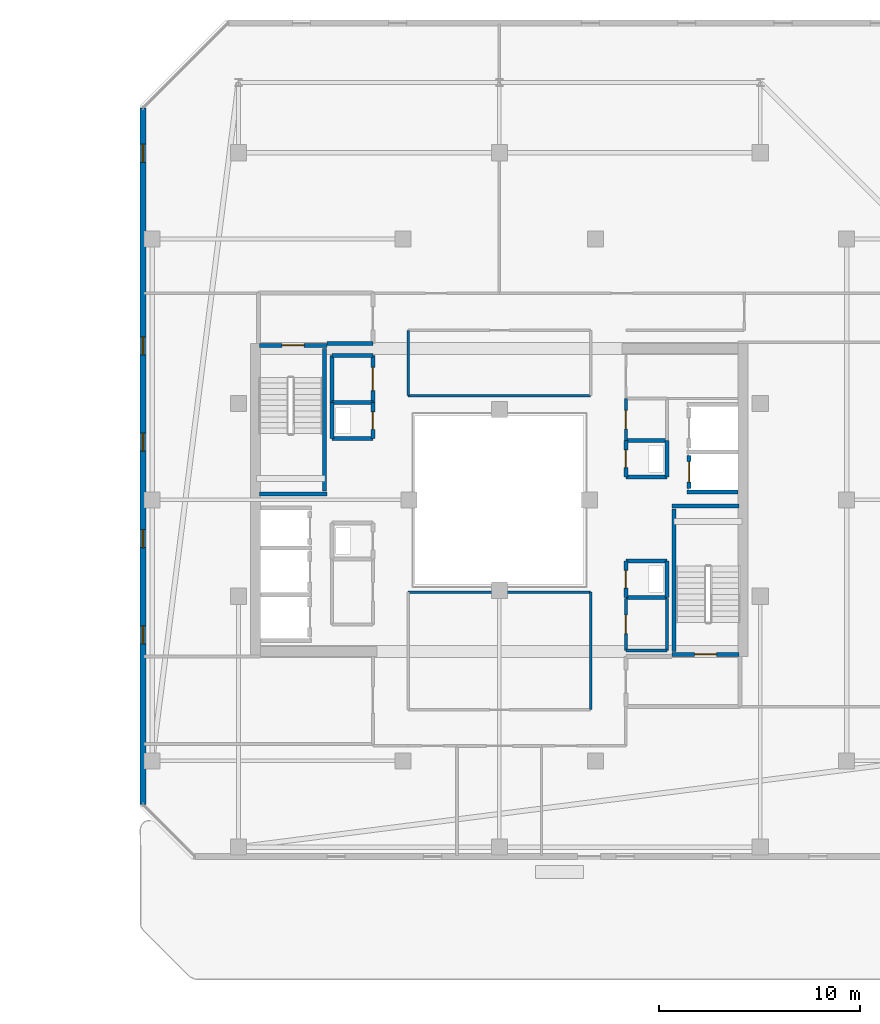
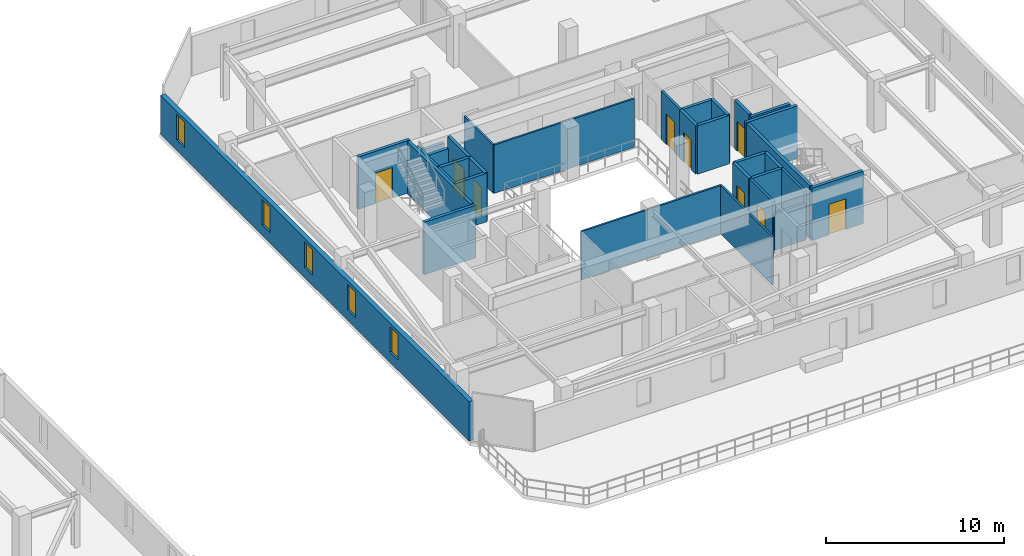
# One storey, part 23 of 31: 33 walls, 9 doors, 5 windows, 14 openings.
"""IFC4 building model written with IfcOpenShell, lengths in metres."""

from ifc_helpers import new_model, si_unit, direction, frame, frame_2d, origin, place, context, subcontext, project, spatial, rectangle, extrude, material, layer, layer_set, type_object, element, fill, save


model = new_model("IFC4")

# Units and contexts
model_context = context("Model", 3, precision=1e-05, world=origin(), true_north=direction((0.0, 1.0)))
body_context = subcontext(model_context, "Body", "Model", "MODEL_VIEW")
ifc_project = project(units=[si_unit("LENGTHUNIT", "METRE"), si_unit("AREAUNIT", "SQUARE_METRE"), si_unit("VOLUMEUNIT", "CUBIC_METRE"), si_unit("PLANEANGLEUNIT", "RADIAN"), si_unit("MASSUNIT", "GRAM", prefix="KILO")], contexts=[model_context])

# Site, building, storey
site_placement = place(None, origin())
site = spatial("IfcSite", under=ifc_project, at=site_placement, CompositionType="ELEMENT")
building_placement = place(site_placement, origin())
building = spatial("IfcBuilding", under=site, at=building_placement, Name="Thornwick Lancets Civic Towers", CompositionType="ELEMENT")
storey_placement = place(building_placement, frame((0.0, 0.0, 254.699951171875)))
storey = spatial("IfcBuildingStorey", under=building, at=storey_placement, Name="L68", CompositionType="ELEMENT", Elevation=254.699951171875)

# Wall, opening, door
ifc_material_1 = material(Name="Concrete blockwork C40/50", Category="masonry")
ifc_layer_1 = layer(ifc_material_1, 0.199951171875, Name="Concrete blockwork C40/50")
ifc_layer_set_1 = layer_set([ifc_layer_1], Name="Concrete blockwork C40/50")
wall_type_1 = type_object("IfcWallType", Name="WALL_COMP_200", PredefinedType="STANDARD", material=ifc_layer_set_1)
wall_1_placement = place(storey_placement, frame((97.949951171875, 29.219970703125, 0.0), z_axis=(0.0, 0.0, 1.0), x_axis=(0.0, -1.0, 0.0)))
wall_1 = element("IfcWall", 1, at=wall_1_placement, inside=storey, type_object=wall_type_1, Name="L68 Hoistway Front Wall FL-B1", PredefinedType="STANDARD", context=body_context, shape_type="SweptSolid", body=[
    extrude(rectangle(XDim=1.639892578125, YDim=0.199951171875, at=frame_2d((0.81982421875, 0.0))), origin(), (0.0, 0.0, 1.0), 3.320068359375),
])
opening_1_placement = place(wall_1_placement, frame((0.31005859375, 0.0, 0.0)))
opening_1 = element("IfcOpeningElement", 2, at=opening_1_placement, cuts=wall_1, Name="Opening LD-FL-B1", PredefinedType="OPENING", context=body_context, shape_type="SweptSolid", body=[
    extrude(rectangle(XDim=1.02001953125, YDim=2.06005859375, at=frame_2d((0.510009765625, 1.030029296875))), frame((0.0, 0.10986328125, 0.0), z_axis=(0.0, -1.0, 0.0), x_axis=(1.0, 0.0, 0.0)), (0.0, 0.0, 1.0), 0.219970703125),
])
ifc_material_2 = material(Name="Brushed bronze stainless steel", Category="steel")
door_type_1 = type_object("IfcDoorType", Name="DOOR_LIFT_SLIDE", OperationType="SLIDING_TO_LEFT", PredefinedType="DOOR", material=ifc_material_2)
door_1_placement = place(opening_1_placement, origin())
door_1 = element("IfcDoor", 3, at=door_1_placement, inside=storey, type_object=door_type_1, Name="L68 Sliding Lift Landing Door LD-FL-B1", OperationType="SLIDING_TO_LEFT", OverallHeight=2.06005859375, OverallWidth=1.02001953125, PredefinedType="DOOR", context=body_context, shape_type="SweptSolid", body=[
    extrude(rectangle(XDim=1.02001953125, YDim=2.06005859375, at=frame_2d((0.510009765625, 1.030029296875))), frame((0.0, 0.02490234375, 0.0), z_axis=(0.0, -1.0, 0.0), x_axis=(1.0, 0.0, 0.0)), (0.0, 0.0, 1.0), 0.050048828125),
])
fill(opening_1, door_1)

# Walls
wall_2_placement = place(storey_placement, frame((97.85205078125, 27.39990234375, 0.0), z_axis=(0.0, 0.0, 1.0), x_axis=(1.0, 0.0, 0.0)))
element("IfcWall", 4, at=wall_2_placement, inside=storey, type_object=wall_type_1, Name="L68 Hoistway Shaft Wall FL-B1 S", PredefinedType="STANDARD", context=body_context, shape_type="SweptSolid", body=[
    extrude(rectangle(XDim=2.535888671875, YDim=0.199951171875, at=frame_2d((1.26806640625, 0.0))), origin(), (0.0, 0.0, 1.0), 3.320068359375),
])
wall_3_placement = place(storey_placement, frame((79.89990234375, 34.800048828125, 0.0), z_axis=(0.0, 0.0, 1.0), x_axis=(1.0, 0.0, 0.0)))
element("IfcWall", 5, at=wall_3_placement, inside=storey, type_object=wall_type_1, Name="L68 Partition L68-B-FFLOB2 E1", PredefinedType="STANDARD", context=body_context, shape_type="SweptSolid", body=[
    extrude(rectangle(XDim=2.300048828125, YDim=0.199951171875, at=frame_2d((1.14990234375, 0.0))), origin(), (0.0, 0.0, 1.0), 2.525146484375),
])
wall_4_placement = place(storey_placement, frame((94.800048828125, 28.14990234375, 0.0), z_axis=(0.0, 0.0, 1.0), x_axis=(1.0, 0.0, 0.0)))
element("IfcWall", 6, at=wall_4_placement, inside=storey, type_object=wall_type_1, Name="L68 Partition L68-B-DUCT1 E1", PredefinedType="STANDARD", context=body_context, shape_type="SweptSolid", body=[
    extrude(rectangle(XDim=2.050048828125, YDim=0.199951171875, at=frame_2d((1.02490234375, 0.0))), origin(), (0.0, 0.0, 1.0), 3.320068359375),
])
wall_5_placement = place(storey_placement, frame((96.85009765625, 28.14990234375, 0.0), z_axis=(0.0, 0.0, 1.0), x_axis=(0.0, 1.0, 0.0)))
element("IfcWall", 7, at=wall_5_placement, inside=storey, type_object=wall_type_1, Name="L68 Partition L68-B-DUCT1 E2", PredefinedType="STANDARD", context=body_context, shape_type="SweptSolid", body=[
    extrude(rectangle(XDim=1.800048828125, YDim=0.199951171875, at=frame_2d((0.89990234375, 0.0))), origin(), (0.0, 0.0, 1.0), 3.320068359375),
])
wall_6_placement = place(storey_placement, frame((96.85009765625, 29.949951171875, 0.0), z_axis=(0.0, 0.0, 1.0), x_axis=(-1.0, 0.0, 0.0)))
element("IfcWall", 8, at=wall_6_placement, inside=storey, type_object=wall_type_1, Name="L68 Partition L68-B-DUCT1 E3", PredefinedType="STANDARD", context=body_context, shape_type="SweptSolid", body=[
    extrude(rectangle(XDim=2.050048828125, YDim=0.199951171875, at=frame_2d((1.02490234375, 0.0))), origin(), (0.0, 0.0, 1.0), 3.320068359375),
])

# Wall, opening, door
wall_7_placement = place(storey_placement, frame((94.800048828125, 29.949951171875, 0.0), z_axis=(0.0, 0.0, 1.0), x_axis=(0.0, -1.0, 0.0)))
wall_7 = element("IfcWall", 9, at=wall_7_placement, inside=storey, type_object=wall_type_1, Name="L68 Partition L68-B-DUCT1 E4", PredefinedType="STANDARD", context=body_context, shape_type="SweptSolid", body=[
    extrude(rectangle(XDim=1.800048828125, YDim=0.199951171875, at=frame_2d((0.89990234375, 0.0))), origin(), (0.0, 0.0, 1.0), 3.320068359375),
])
opening_2_placement = place(wall_7_placement, frame((0.4599609375, 0.0, 0.0)))
opening_2 = element("IfcOpeningElement", 10, at=opening_2_placement, cuts=wall_7, Name="Opening D-L68-3104", PredefinedType="OPENING", context=body_context, shape_type="SweptSolid", body=[
    extrude(rectangle(XDim=0.8798828125, YDim=2.0400390625, at=frame_2d((0.43994140625, 1.02001953125))), frame((0.0, 0.10986328125, 0.0), z_axis=(0.0, -1.0, 0.0), x_axis=(1.0, 0.0, 0.0)), (0.0, 0.0, 1.0), 0.219970703125),
])
ifc_material_3 = material(Name="Steel riser access doorset", Category="steel")
door_type_2 = type_object("IfcDoorType", Name="DOOR_RISER_850", OperationType="NOTDEFINED", PredefinedType="DOOR", material=ifc_material_3)
door_2_placement = place(opening_2_placement, origin())
door_2 = element("IfcDoor", 11, at=door_2_placement, inside=storey, type_object=door_type_2, Name="L68 East Service Duct 1 Door", OperationType="SINGLE_SWING_LEFT", OverallHeight=2.0400390625, OverallWidth=0.8798828125, PredefinedType="DOOR", context=body_context, shape_type="SweptSolid", body=[
    extrude(rectangle(XDim=0.8798828125, YDim=2.0400390625, at=frame_2d((0.43994140625, 1.02001953125))), frame((0.0, 0.02490234375, 0.0), z_axis=(0.0, -1.0, 0.0), x_axis=(1.0, 0.0, 0.0)), (0.0, 0.0, 1.0), 0.050048828125),
])
fill(opening_2, door_2)

# Walls
wall_8_placement = place(storey_placement, frame((94.800048828125, 22.14990234375, 0.0), z_axis=(0.0, 0.0, 1.0), x_axis=(1.0, 0.0, 0.0)))
element("IfcWall", 12, at=wall_8_placement, inside=storey, type_object=wall_type_1, Name="L68 Partition L68-B-RISER1 E1", PredefinedType="STANDARD", context=body_context, shape_type="SweptSolid", body=[
    extrude(rectangle(XDim=2.050048828125, YDim=0.199951171875, at=frame_2d((1.02490234375, 0.0))), origin(), (0.0, 0.0, 1.0), 3.320068359375),
])
wall_9_placement = place(storey_placement, frame((96.85009765625, 22.14990234375, 0.0), z_axis=(0.0, 0.0, 1.0), x_axis=(0.0, 1.0, 0.0)))
element("IfcWall", 13, at=wall_9_placement, inside=storey, type_object=wall_type_1, Name="L68 Partition L68-B-RISER1 E2", PredefinedType="STANDARD", context=body_context, shape_type="SweptSolid", body=[
    extrude(rectangle(XDim=1.800048828125, YDim=0.199951171875, at=frame_2d((0.89990234375, 0.0))), origin(), (0.0, 0.0, 1.0), 3.320068359375),
])
wall_10_placement = place(storey_placement, frame((96.85009765625, 23.949951171875, 0.0), z_axis=(0.0, 0.0, 1.0), x_axis=(-1.0, 0.0, 0.0)))
element("IfcWall", 14, at=wall_10_placement, inside=storey, type_object=wall_type_1, Name="L68 Partition L68-B-RISER1 E3", PredefinedType="STANDARD", context=body_context, shape_type="SweptSolid", body=[
    extrude(rectangle(XDim=2.050048828125, YDim=0.199951171875, at=frame_2d((1.02490234375, 0.0))), origin(), (0.0, 0.0, 1.0), 3.320068359375),
])

# Wall, opening, door
wall_11_placement = place(storey_placement, frame((94.800048828125, 23.949951171875, 0.0), z_axis=(0.0, 0.0, 1.0), x_axis=(0.0, -1.0, 0.0)))
wall_11 = element("IfcWall", 15, at=wall_11_placement, inside=storey, type_object=wall_type_1, Name="L68 Partition L68-B-RISER1 E4", PredefinedType="STANDARD", context=body_context, shape_type="SweptSolid", body=[
    extrude(rectangle(XDim=1.800048828125, YDim=0.199951171875, at=frame_2d((0.89990234375, 0.0))), origin(), (0.0, 0.0, 1.0), 3.320068359375),
])
opening_3_placement = place(wall_11_placement, frame((0.4599609375, 0.0, 0.0)))
opening_3 = element("IfcOpeningElement", 16, at=opening_3_placement, cuts=wall_11, Name="Opening D-L68-3105", PredefinedType="OPENING", context=body_context, shape_type="SweptSolid", body=[
    extrude(rectangle(XDim=0.8798828125, YDim=2.0400390625, at=frame_2d((0.43994140625, 1.02001953125))), frame((0.0, 0.10986328125, 0.0), z_axis=(0.0, -1.0, 0.0), x_axis=(1.0, 0.0, 0.0)), (0.0, 0.0, 1.0), 0.219970703125),
])
door_3_placement = place(opening_3_placement, origin())
door_3 = element("IfcDoor", 17, at=door_3_placement, inside=storey, type_object=door_type_2, Name="L68 East Electrical Riser 1 Door", OperationType="SINGLE_SWING_RIGHT", OverallHeight=2.0400390625, OverallWidth=0.8798828125, PredefinedType="DOOR", context=body_context, shape_type="SweptSolid", body=[
    extrude(rectangle(XDim=0.8798828125, YDim=2.0400390625, at=frame_2d((0.43994140625, 1.02001953125))), frame((0.0, 0.02490234375, 0.0), z_axis=(0.0, -1.0, 0.0), x_axis=(1.0, 0.0, 0.0)), (0.0, 0.0, 1.0), 0.050048828125),
])
fill(opening_3, door_3)

# Wall
wall_12_placement = place(storey_placement, frame((80.14990234375, 30.050048828125, 0.0), z_axis=(0.0, 0.0, 1.0), x_axis=(1.0, 0.0, 0.0)))
element("IfcWall", 18, at=wall_12_placement, inside=storey, type_object=wall_type_1, Name="L68 Partition L68-B-RISER2 E1", PredefinedType="STANDARD", context=body_context, shape_type="SweptSolid", body=[
    extrude(rectangle(XDim=2.050048828125, YDim=0.199951171875, at=frame_2d((1.02490234375, 0.0))), origin(), (0.0, 0.0, 1.0), 3.320068359375),
])

# Wall, opening, door
wall_13_placement = place(storey_placement, frame((82.199951171875, 30.050048828125, 0.0), z_axis=(0.0, 0.0, 1.0), x_axis=(0.0, 1.0, 0.0)))
wall_13 = element("IfcWall", 19, at=wall_13_placement, inside=storey, type_object=wall_type_1, Name="L68 Partition L68-B-RISER2 E2", PredefinedType="STANDARD", context=body_context, shape_type="SweptSolid", body=[
    extrude(rectangle(XDim=1.800048828125, YDim=0.199951171875, at=frame_2d((0.89990234375, 0.0))), origin(), (0.0, 0.0, 1.0), 3.320068359375),
])
opening_4_placement = place(wall_13_placement, frame((0.4599609375, 0.0, 0.0)))
opening_4 = element("IfcOpeningElement", 20, at=opening_4_placement, cuts=wall_13, Name="Opening D-L68-3107", PredefinedType="OPENING", context=body_context, shape_type="SweptSolid", body=[
    extrude(rectangle(XDim=0.8798828125, YDim=2.0400390625, at=frame_2d((0.43994140625, 1.02001953125))), frame((0.0, 0.10986328125, 0.0), z_axis=(0.0, -1.0, 0.0), x_axis=(1.0, 0.0, 0.0)), (0.0, 0.0, 1.0), 0.219970703125),
])
door_4_placement = place(opening_4_placement, origin())
door_4 = element("IfcDoor", 21, at=door_4_placement, inside=storey, type_object=door_type_2, Name="L68 West Service Riser 2 Door", OperationType="SINGLE_SWING_RIGHT", OverallHeight=2.0400390625, OverallWidth=0.8798828125, PredefinedType="DOOR", context=body_context, shape_type="SweptSolid", body=[
    extrude(rectangle(XDim=0.8798828125, YDim=2.0400390625, at=frame_2d((0.43994140625, 1.02001953125))), frame((0.0, 0.02490234375, 0.0), z_axis=(0.0, -1.0, 0.0), x_axis=(1.0, 0.0, 0.0)), (0.0, 0.0, 1.0), 0.050048828125),
])
fill(opening_4, door_4)

# Walls
wall_14_placement = place(storey_placement, frame((82.199951171875, 31.85009765625, 0.0), z_axis=(0.0, 0.0, 1.0), x_axis=(-1.0, 0.0, 0.0)))
element("IfcWall", 22, at=wall_14_placement, inside=storey, type_object=wall_type_1, Name="L68 Partition L68-B-RISER2 E3", PredefinedType="STANDARD", context=body_context, shape_type="SweptSolid", body=[
    extrude(rectangle(XDim=2.050048828125, YDim=0.199951171875, at=frame_2d((1.02490234375, 0.0))), origin(), (0.0, 0.0, 1.0), 3.320068359375),
])
wall_15_placement = place(storey_placement, frame((80.14990234375, 31.85009765625, 0.0), z_axis=(0.0, 0.0, 1.0), x_axis=(0.0, -1.0, 0.0)))
element("IfcWall", 23, at=wall_15_placement, inside=storey, type_object=wall_type_1, Name="L68 Partition L68-B-RISER2 E4", PredefinedType="STANDARD", context=body_context, shape_type="SweptSolid", body=[
    extrude(rectangle(XDim=1.800048828125, YDim=0.199951171875, at=frame_2d((0.89990234375, 0.0))), origin(), (0.0, 0.0, 1.0), 3.320068359375),
])
wall_16_placement = place(storey_placement, frame((80.14990234375, 31.85009765625, 0.0), z_axis=(0.0, 0.0, 1.0), x_axis=(0.0, 1.0, 0.0)))
element("IfcWall", 24, at=wall_16_placement, inside=storey, type_object=wall_type_1, Name="L68 Partition L68-B-STR E1", PredefinedType="STANDARD", context=body_context, shape_type="SweptSolid", body=[
    extrude(rectangle(XDim=2.349853515625, YDim=0.199951171875, at=frame_2d((1.1748046875, 0.0))), origin(), (0.0, 0.0, 1.0), 3.320068359375),
])
wall_17_placement = place(storey_placement, frame((80.14990234375, 34.199951171875, 0.0), z_axis=(0.0, 0.0, 1.0), x_axis=(1.0, 0.0, 0.0)))
element("IfcWall", 25, at=wall_17_placement, inside=storey, type_object=wall_type_1, Name="L68 Partition L68-B-STR E2", PredefinedType="STANDARD", context=body_context, shape_type="SweptSolid", body=[
    extrude(rectangle(XDim=2.050048828125, YDim=0.199951171875, at=frame_2d((1.02490234375, 0.0))), origin(), (0.0, 0.0, 1.0), 2.525146484375),
])

# Wall, opening, door
wall_18_placement = place(storey_placement, frame((82.199951171875, 34.199951171875, 0.0), z_axis=(0.0, 0.0, 1.0), x_axis=(0.0, -1.0, 0.0)))
wall_18 = element("IfcWall", 26, at=wall_18_placement, inside=storey, type_object=wall_type_1, Name="L68 Partition L68-B-STR E3", PredefinedType="STANDARD", context=body_context, shape_type="SweptSolid", body=[
    extrude(rectangle(XDim=2.349853515625, YDim=0.199951171875, at=frame_2d((1.1748046875, 0.0))), origin(), (0.0, 0.0, 1.0), 3.320068359375),
])
opening_5_placement = place(wall_18_placement, frame((0.60009765625, 0.0, 0.0)))
opening_5 = element("IfcOpeningElement", 27, at=opening_5_placement, cuts=wall_18, Name="Opening D-L68-3112", PredefinedType="OPENING", context=body_context, shape_type="SweptSolid", body=[
    extrude(rectangle(XDim=1.14990234375, YDim=2.10009765625, at=frame_2d((0.574951171875, 1.050048828125))), frame((0.0, 0.10986328125, 0.0), z_axis=(0.0, -1.0, 0.0), x_axis=(1.0, 0.0, 0.0)), (0.0, 0.0, 1.0), 0.219970703125),
])
ifc_material_4 = material(Name="Glazed fire-resisting steel", Category="steel")
door_type_3 = type_object("IfcDoorType", Name="DOOR_LOBBY_FD60", OperationType="NOTDEFINED", PredefinedType="DOOR", material=ifc_material_4)
door_5_placement = place(opening_5_placement, origin())
door_5 = element("IfcDoor", 28, at=door_5_placement, inside=storey, type_object=door_type_3, Name="L68 Tower B Core Equipment Store Door", OperationType="SINGLE_SWING_LEFT", OverallHeight=2.10009765625, OverallWidth=1.14990234375, PredefinedType="DOOR", context=body_context, shape_type="SweptSolid", body=[
    extrude(rectangle(XDim=1.14990234375, YDim=2.10009765625, at=frame_2d((0.574951171875, 1.050048828125))), frame((0.0, 0.02490234375, 0.0), z_axis=(0.0, -1.0, 0.0), x_axis=(1.0, 0.0, 0.0)), (0.0, 0.0, 1.0), 0.050048828125),
])
fill(opening_5, door_5)

# Wall, openings, windows
ifc_material_5 = material(Name="Insulated russet terracotta rainscreen on concrete C40/50", Category="masonry")
ifc_layer_2 = layer(ifc_material_5, 0.300048828125, Name="Insulated russet terracotta rainscreen on concrete C40/50")
ifc_layer_set_2 = layer_set([ifc_layer_2], Name="Insulated russet terracotta rainscreen on concrete C40/50")
wall_type_2 = type_object("IfcWallType", Name="WALL_EXT_RUSSET_300", PredefinedType="STANDARD", material=ifc_layer_set_2)
wall_19_placement = place(storey_placement, frame((70.74072265625, 46.52587890625, 0.0), z_axis=(0.0, 0.0, 1.0), x_axis=(-0.000154754115, -0.999999988026, 0.0)))
wall_19 = element("IfcWall", 29, at=wall_19_placement, inside=storey, type_object=wall_type_2, Name="L68 Tower B Terracotta Facade Wall E6", PredefinedType="STANDARD", context=body_context, shape_type="SweptSolid", body=[
    extrude(rectangle(XDim=34.707275390625, YDim=0.300048828125, at=frame_2d((17.353515625, 0.0))), origin(), (0.0, 0.0, 1.0), 2.699951171875),
])
opening_6_placement = place(wall_19_placement, frame((1.800048828125, 0.0, 0.719970703125)))
opening_6 = element("IfcOpeningElement", 30, at=opening_6_placement, cuts=wall_19, Name="Opening WL-01", PredefinedType="OPENING", context=body_context, shape_type="SweptSolid", body=[
    extrude(rectangle(XDim=0.89990234375, YDim=1.75, at=frame_2d((0.449951171875, 0.875))), frame((0.0, 0.16015625, 0.0), z_axis=(0.0, -1.0, 0.0), x_axis=(1.0, 0.0, 0.0)), (0.0, 0.0, 1.0), 0.320068359375),
])
opening_7_placement = place(wall_19_placement, frame((11.39990234375, 0.0, 0.719970703125)))
opening_7 = element("IfcOpeningElement", 31, at=opening_7_placement, cuts=wall_19, Name="Opening WL-01", PredefinedType="OPENING", context=body_context, shape_type="SweptSolid", body=[
    extrude(rectangle(XDim=0.89990234375, YDim=1.75, at=frame_2d((0.449951171875, 0.875))), frame((0.0, 0.16015625, 0.0), z_axis=(0.0, -1.0, 0.0), x_axis=(1.0, 0.0, 0.0)), (0.0, 0.0, 1.0), 0.320068359375),
])
opening_8_placement = place(wall_19_placement, frame((16.199951171875, 0.0, 0.719970703125)))
opening_8 = element("IfcOpeningElement", 32, at=opening_8_placement, cuts=wall_19, Name="Opening WL-01", PredefinedType="OPENING", context=body_context, shape_type="SweptSolid", body=[
    extrude(rectangle(XDim=0.89990234375, YDim=1.75, at=frame_2d((0.449951171875, 0.875))), frame((0.0, 0.16015625, 0.0), z_axis=(0.0, -1.0, 0.0), x_axis=(1.0, 0.0, 0.0)), (0.0, 0.0, 1.0), 0.320068359375),
])
opening_9_placement = place(wall_19_placement, frame((21.0, 0.0, 0.719970703125)))
opening_9 = element("IfcOpeningElement", 33, at=opening_9_placement, cuts=wall_19, Name="Opening WL-01", PredefinedType="OPENING", context=body_context, shape_type="SweptSolid", body=[
    extrude(rectangle(XDim=0.89990234375, YDim=1.75, at=frame_2d((0.449951171875, 0.875))), frame((0.0, 0.16015625, 0.0), z_axis=(0.0, -1.0, 0.0), x_axis=(1.0, 0.0, 0.0)), (0.0, 0.0, 1.0), 0.320068359375),
])
opening_10_placement = place(wall_19_placement, frame((25.800048828125, 0.0, 0.719970703125)))
opening_10 = element("IfcOpeningElement", 34, at=opening_10_placement, cuts=wall_19, Name="Opening WL-01", PredefinedType="OPENING", context=body_context, shape_type="SweptSolid", body=[
    extrude(rectangle(XDim=0.89990234375, YDim=1.75, at=frame_2d((0.449951171875, 0.875))), frame((0.0, 0.16015625, 0.0), z_axis=(0.0, -1.0, 0.0), x_axis=(1.0, 0.0, 0.0)), (0.0, 0.0, 1.0), 0.320068359375),
])
ifc_material_6 = material(Name="Clear low-e double glazing in bronze frame", Category="glass")
window_type = type_object("IfcWindowType", Name="WIN_LANCET_900", PartitioningType="SINGLE_PANEL", PredefinedType="WINDOW", material=ifc_material_6)
window_1_placement = place(opening_6_placement, origin())
window_1 = element("IfcWindow", 35, at=window_1_placement, inside=storey, type_object=window_type, Name="L68 Tower B Staggered Lancet Window E6-1", OverallHeight=1.75, OverallWidth=0.89990234375, PartitioningType="SINGLE_PANEL", PredefinedType="WINDOW", context=body_context, shape_type="SweptSolid", body=[
    extrude(rectangle(XDim=0.89990234375, YDim=1.75, at=frame_2d((0.449951171875, 0.875))), frame((0.0, 0.030029296875, 0.0), z_axis=(0.0, -1.0, 0.0), x_axis=(1.0, 0.0, 0.0)), (0.0, 0.0, 1.0), 0.06005859375),
])
fill(opening_6, window_1)
window_2_placement = place(opening_7_placement, origin())
window_2 = element("IfcWindow", 36, at=window_2_placement, inside=storey, type_object=window_type, Name="L68 Tower B Staggered Lancet Window E6-2", OverallHeight=1.75, OverallWidth=0.89990234375, PartitioningType="SINGLE_PANEL", PredefinedType="WINDOW", context=body_context, shape_type="SweptSolid", body=[
    extrude(rectangle(XDim=0.89990234375, YDim=1.75, at=frame_2d((0.449951171875, 0.875))), frame((0.0, 0.030029296875, 0.0), z_axis=(0.0, -1.0, 0.0), x_axis=(1.0, 0.0, 0.0)), (0.0, 0.0, 1.0), 0.06005859375),
])
fill(opening_7, window_2)
window_3_placement = place(opening_8_placement, origin())
window_3 = element("IfcWindow", 37, at=window_3_placement, inside=storey, type_object=window_type, Name="L68 Tower B Staggered Lancet Window E6-3", OverallHeight=1.75, OverallWidth=0.89990234375, PartitioningType="SINGLE_PANEL", PredefinedType="WINDOW", context=body_context, shape_type="SweptSolid", body=[
    extrude(rectangle(XDim=0.89990234375, YDim=1.75, at=frame_2d((0.449951171875, 0.875))), frame((0.0, 0.030029296875, 0.0), z_axis=(0.0, -1.0, 0.0), x_axis=(1.0, 0.0, 0.0)), (0.0, 0.0, 1.0), 0.06005859375),
])
fill(opening_8, window_3)
window_4_placement = place(opening_9_placement, origin())
window_4 = element("IfcWindow", 38, at=window_4_placement, inside=storey, type_object=window_type, Name="L68 Tower B Staggered Lancet Window E6-4", OverallHeight=1.75, OverallWidth=0.89990234375, PartitioningType="SINGLE_PANEL", PredefinedType="WINDOW", context=body_context, shape_type="SweptSolid", body=[
    extrude(rectangle(XDim=0.89990234375, YDim=1.75, at=frame_2d((0.449951171875, 0.875))), frame((0.0, 0.030029296875, 0.0), z_axis=(0.0, -1.0, 0.0), x_axis=(1.0, 0.0, 0.0)), (0.0, 0.0, 1.0), 0.06005859375),
])
fill(opening_9, window_4)
window_5_placement = place(opening_10_placement, origin())
window_5 = element("IfcWindow", 39, at=window_5_placement, inside=storey, type_object=window_type, Name="L68 Tower B Staggered Lancet Window E6-5", OverallHeight=1.75, OverallWidth=0.89990234375, PartitioningType="SINGLE_PANEL", PredefinedType="WINDOW", context=body_context, shape_type="SweptSolid", body=[
    extrude(rectangle(XDim=0.89990234375, YDim=1.75, at=frame_2d((0.449951171875, 0.875))), frame((0.0, 0.030029296875, 0.0), z_axis=(0.0, -1.0, 0.0), x_axis=(1.0, 0.0, 0.0)), (0.0, 0.0, 1.0), 0.06005859375),
])
fill(opening_10, window_5)

# Walls
ifc_material_7 = material(Name="Acoustic gypsum board partition")
ifc_layer_3 = layer(ifc_material_7, 0.1201171875, Name="Acoustic gypsum board partition")
ifc_layer_set_3 = layer_set([ifc_layer_3], Name="Acoustic gypsum board partition")
wall_type_3 = type_object("IfcWallType", Name="WALL_PART_120", PredefinedType="PARTITIONING", material=ifc_layer_set_3)
wall_20_placement = place(storey_placement, frame((83.949951171875, 22.39990234375, 0.0), z_axis=(0.0, 0.0, 1.0), x_axis=(1.0, 0.0, 0.0)))
element("IfcWall", 40, at=wall_20_placement, inside=storey, type_object=wall_type_3, Name="L68 Partition L68-B-W3 E2", PredefinedType="PARTITIONING", context=body_context, shape_type="SweptSolid", body=[
    extrude(rectangle(XDim=9.10009765625, YDim=0.1201171875, at=frame_2d((4.550048828125, 0.0))), origin(), (0.0, 0.0, 1.0), 3.320068359375),
])
wall_21_placement = place(storey_placement, frame((93.050048828125, 22.39990234375, 0.0), z_axis=(0.0, 0.0, 1.0), x_axis=(0.0, -1.0, 0.0)))
element("IfcWall", 41, at=wall_21_placement, inside=storey, type_object=wall_type_3, Name="L68 Partition L68-B-W3 E3", PredefinedType="PARTITIONING", context=body_context, shape_type="SweptSolid", body=[
    extrude(rectangle(XDim=5.849853515625, YDim=0.1201171875, at=frame_2d((2.9248046875, 0.0))), origin(), (0.0, 0.0, 1.0), 3.320068359375),
])
wall_22_placement = place(storey_placement, frame((83.949951171875, 32.199951171875, 0.0), z_axis=(0.0, 0.0, 1.0), x_axis=(0.0, 1.0, 0.0)))
element("IfcWall", 42, at=wall_22_placement, inside=storey, type_object=wall_type_3, Name="L68 Partition L68-B-E-ATRIUM-OFF E1", PredefinedType="PARTITIONING", context=body_context, shape_type="SweptSolid", body=[
    extrude(rectangle(XDim=3.25, YDim=0.1201171875, at=frame_2d((1.625, 0.0))), origin(), (0.0, 0.0, 1.0), 3.320068359375),
])
wall_23_placement = place(storey_placement, frame((93.050048828125, 32.199951171875, 0.0), z_axis=(0.0, 0.0, 1.0), x_axis=(-1.0, 0.0, 0.0)))
element("IfcWall", 43, at=wall_23_placement, inside=storey, type_object=wall_type_3, Name="L68 Partition L68-B-E-ATRIUM-OFF E4", PredefinedType="PARTITIONING", context=body_context, shape_type="SweptSolid", body=[
    extrude(rectangle(XDim=9.10009765625, YDim=0.1201171875, at=frame_2d((4.550048828125, 0.0))), origin(), (0.0, 0.0, 1.0), 3.320068359375),
])
ifc_material_8 = material(Name="Twin-stud acoustic gypsum board")
ifc_layer_4 = layer(ifc_material_8, 0.14990234375, Name="Twin-stud acoustic gypsum board")
ifc_layer_set_4 = layer_set([ifc_layer_4], Name="Twin-stud acoustic gypsum board")
wall_type_4 = type_object("IfcWallType", Name="WALL_PART_150", PredefinedType="PARTITIONING", material=ifc_layer_set_4)
wall_24_placement = place(storey_placement, frame((94.800048828125, 19.5, 0.0), z_axis=(0.0, 0.0, 1.0), x_axis=(1.0, 0.0, 0.0)))
element("IfcWall", 44, at=wall_24_placement, inside=storey, type_object=wall_type_4, Name="L68 Partition L68-B-AWC E1", PredefinedType="PARTITIONING", context=body_context, shape_type="SweptSolid", body=[
    extrude(rectangle(XDim=2.050048828125, YDim=0.14990234375, at=frame_2d((1.02490234375, 0.0))), origin(), (0.0, 0.0, 1.0), 2.525146484375),
])
wall_25_placement = place(storey_placement, frame((96.85009765625, 19.5, 0.0), z_axis=(0.0, 0.0, 1.0), x_axis=(0.0, 1.0, 0.0)))
element("IfcWall", 45, at=wall_25_placement, inside=storey, type_object=wall_type_4, Name="L68 Partition L68-B-AWC E2", PredefinedType="PARTITIONING", context=body_context, shape_type="SweptSolid", body=[
    extrude(rectangle(XDim=2.60009765625, YDim=0.14990234375, at=frame_2d((1.300048828125, 0.0))), origin(), (0.0, 0.0, 1.0), 3.320068359375),
])

# Wall, opening, door
wall_26_placement = place(storey_placement, frame((94.800048828125, 22.10009765625, 0.0), z_axis=(0.0, 0.0, 1.0), x_axis=(0.0, -1.0, 0.0)))
wall_26 = element("IfcWall", 46, at=wall_26_placement, inside=storey, type_object=wall_type_4, Name="L68 Partition L68-B-AWC E4", PredefinedType="PARTITIONING", context=body_context, shape_type="SweptSolid", body=[
    extrude(rectangle(XDim=2.60009765625, YDim=0.14990234375, at=frame_2d((1.300048828125, 0.0))), origin(), (0.0, 0.0, 1.0), 3.320068359375),
])
opening_11_placement = place(wall_26_placement, frame((0.840087890625, 0.0, 0.0)))
opening_11 = element("IfcOpeningElement", 47, at=opening_11_placement, cuts=wall_26, Name="Opening D-L68-3108", PredefinedType="OPENING", context=body_context, shape_type="SweptSolid", body=[
    extrude(rectangle(XDim=0.919921875, YDim=2.080078125, at=frame_2d((0.4599609375, 1.0400390625))), frame((0.0, 0.0849609375, 0.0), z_axis=(0.0, -1.0, 0.0), x_axis=(1.0, 0.0, 0.0)), (0.0, 0.0, 1.0), 0.169921875),
])
ifc_material_9 = material(Name="Moisture-resistant oak doorset")
door_type_4 = type_object("IfcDoorType", Name="DOOR_WC_900", OperationType="NOTDEFINED", PredefinedType="DOOR", material=ifc_material_9)
door_6_placement = place(opening_11_placement, origin())
door_6 = element("IfcDoor", 48, at=door_6_placement, inside=storey, type_object=door_type_4, Name="L68 Tower B Accessible WC Door", OperationType="SINGLE_SWING_LEFT", OverallHeight=2.080078125, OverallWidth=0.919921875, PredefinedType="DOOR", context=body_context, shape_type="SweptSolid", body=[
    extrude(rectangle(XDim=0.919921875, YDim=2.080078125, at=frame_2d((0.4599609375, 1.0400390625))), frame((0.0, 0.02490234375, 0.0), z_axis=(0.0, -1.0, 0.0), x_axis=(1.0, 0.0, 0.0)), (0.0, 0.0, 1.0), 0.050048828125),
])
fill(opening_11, door_6)

wall_27_placement = place(storey_placement, frame((94.800048828125, 29.949951171875, 0.0), z_axis=(0.0, 0.0, 1.0), x_axis=(0.0, 1.0, 0.0)))
wall_27 = element("IfcWall", 49, at=wall_27_placement, inside=storey, type_object=wall_type_4, Name="L68 Partition L68-B-MWC E1", PredefinedType="PARTITIONING", context=body_context, shape_type="SweptSolid", body=[
    extrude(rectangle(XDim=2.10009765625, YDim=0.14990234375, at=frame_2d((1.050048828125, 0.0))), origin(), (0.0, 0.0, 1.0), 3.320068359375),
])
opening_12_placement = place(wall_27_placement, frame((0.590087890625, 0.0, 0.0)))
opening_12 = element("IfcOpeningElement", 50, at=opening_12_placement, cuts=wall_27, Name="Opening D-L68-3109", PredefinedType="OPENING", context=body_context, shape_type="SweptSolid", body=[
    extrude(rectangle(XDim=0.919921875, YDim=2.080078125, at=frame_2d((0.4599609375, 1.0400390625))), frame((0.0, 0.0849609375, 0.0), z_axis=(0.0, -1.0, 0.0), x_axis=(1.0, 0.0, 0.0)), (0.0, 0.0, 1.0), 0.169921875),
])
door_7_placement = place(opening_12_placement, origin())
door_7 = element("IfcDoor", 51, at=door_7_placement, inside=storey, type_object=door_type_4, Name="L68 Tower B Male WC Door", OperationType="SINGLE_SWING_RIGHT", OverallHeight=2.080078125, OverallWidth=0.919921875, PredefinedType="DOOR", context=body_context, shape_type="SweptSolid", body=[
    extrude(rectangle(XDim=0.919921875, YDim=2.080078125, at=frame_2d((0.4599609375, 1.0400390625))), frame((0.0, 0.02490234375, 0.0), z_axis=(0.0, -1.0, 0.0), x_axis=(1.0, 0.0, 0.0)), (0.0, 0.0, 1.0), 0.050048828125),
])
fill(opening_12, door_7)

ifc_material_10 = material(Name="Concrete C40/50", Category="concrete")
ifc_layer_5 = layer(ifc_material_10, 0.199951171875, Name="Concrete C40/50")
ifc_layer_set_5 = layer_set([ifc_layer_5], Name="Concrete C40/50")
wall_type_5 = type_object("IfcWallType", Name="WALL_SHAFT_200", PredefinedType="SHEAR", material=ifc_layer_set_5)
wall_28_placement = place(storey_placement, frame((100.449951171875, 19.300048828125, 0.0), z_axis=(0.0, 0.0, 1.0), x_axis=(-1.0, 0.0, 0.0)))
wall_28 = element("IfcWall", 52, at=wall_28_placement, inside=storey, type_object=wall_type_5, Name="L68 ST-B1 Fire Stair Core Wall NEAR", PredefinedType="SHEAR", context=body_context, shape_type="SweptSolid", body=[
    extrude(rectangle(XDim=3.349853515625, YDim=0.199951171875, at=frame_2d((1.6748046875, 0.0))), origin(), (0.0, 0.0, 1.0), 3.60009765625),
])
opening_13_placement = place(wall_28_placement, frame((1.125, 0.0, 0.0)))
opening_13 = element("IfcOpeningElement", 53, at=opening_13_placement, cuts=wall_28, Name="Opening D-ST-B1-L68", PredefinedType="OPENING", context=body_context, shape_type="SweptSolid", body=[
    extrude(rectangle(XDim=1.10009765625, YDim=2.10009765625, at=frame_2d((0.550048828125, 1.050048828125))), frame((0.0, 0.10986328125, 0.0), z_axis=(0.0, -1.0, 0.0), x_axis=(1.0, 0.0, 0.0)), (0.0, 0.0, 1.0), 0.219970703125),
])
ifc_material_11 = material(Name="Fire-resisting steel and hardwood", Category="steel")
door_type_5 = type_object("IfcDoorType", Name="DOOR_STAIR_FD60", OperationType="NOTDEFINED", PredefinedType="DOOR", material=ifc_material_11)
door_8_placement = place(opening_13_placement, origin())
door_8 = element("IfcDoor", 54, at=door_8_placement, inside=storey, type_object=door_type_5, Name="L68 ST-B1 Exit Stair Door", OperationType="SINGLE_SWING_RIGHT", OverallHeight=2.10009765625, OverallWidth=1.10009765625, PredefinedType="DOOR", context=body_context, shape_type="SweptSolid", body=[
    extrude(rectangle(XDim=1.10009765625, YDim=2.10009765625, at=frame_2d((0.550048828125, 1.050048828125))), frame((0.0, 0.02490234375, 0.0), z_axis=(0.0, -1.0, 0.0), x_axis=(1.0, 0.0, 0.0)), (0.0, 0.0, 1.0), 0.050048828125),
])
fill(opening_13, door_8)

# Walls
wall_29_placement = place(storey_placement, frame((97.10009765625, 26.699951171875, 0.0), z_axis=(0.0, 0.0, 1.0), x_axis=(1.0, 0.0, 0.0)))
element("IfcWall", 55, at=wall_29_placement, inside=storey, type_object=wall_type_5, Name="L68 ST-B1 Fire Stair Core Wall FAR", PredefinedType="SHEAR", context=body_context, shape_type="SweptSolid", body=[
    extrude(rectangle(XDim=3.349853515625, YDim=0.199951171875, at=frame_2d((1.6748046875, 0.0))), origin(), (0.0, 0.0, 1.0), 3.60009765625),
])
wall_30_placement = place(storey_placement, frame((97.202880859375, 26.550048828125, 0.0), z_axis=(0.0, 0.0, 1.0), x_axis=(0.0, -1.0, 0.0)))
element("IfcWall", 56, at=wall_30_placement, inside=storey, type_object=wall_type_5, Name="L68 ST-B1 Fire Stair Core Wall RIGHT", PredefinedType="SHEAR", context=body_context, shape_type="SweptSolid", body=[
    extrude(rectangle(XDim=7.10009765625, YDim=0.199951171875, at=frame_2d((3.550048828125, 0.0))), origin(), (0.0, 0.0, 1.0), 3.60009765625),
])

# Wall, opening, door
wall_31_placement = place(storey_placement, frame((76.550048828125, 34.699951171875, 0.0), z_axis=(0.0, 0.0, 1.0), x_axis=(1.0, 0.0, 0.0)))
wall_31 = element("IfcWall", 57, at=wall_31_placement, inside=storey, type_object=wall_type_5, Name="L68 ST-B2 Fire Stair Core Wall NEAR", PredefinedType="SHEAR", context=body_context, shape_type="SweptSolid", body=[
    extrude(rectangle(XDim=3.349853515625, YDim=0.199951171875, at=frame_2d((1.6748046875, 0.0))), origin(), (0.0, 0.0, 1.0), 3.60009765625),
])
opening_14_placement = place(wall_31_placement, frame((1.125, 0.0, 0.0)))
opening_14 = element("IfcOpeningElement", 58, at=opening_14_placement, cuts=wall_31, Name="Opening D-ST-B2-L68", PredefinedType="OPENING", context=body_context, shape_type="SweptSolid", body=[
    extrude(rectangle(XDim=1.10009765625, YDim=2.10009765625, at=frame_2d((0.550048828125, 1.050048828125))), frame((0.0, 0.10986328125, 0.0), z_axis=(0.0, -1.0, 0.0), x_axis=(1.0, 0.0, 0.0)), (0.0, 0.0, 1.0), 0.219970703125),
])
door_9_placement = place(opening_14_placement, origin())
door_9 = element("IfcDoor", 59, at=door_9_placement, inside=storey, type_object=door_type_5, Name="L68 ST-B2 Exit Stair Door", OperationType="SINGLE_SWING_LEFT", OverallHeight=2.10009765625, OverallWidth=1.10009765625, PredefinedType="DOOR", context=body_context, shape_type="SweptSolid", body=[
    extrude(rectangle(XDim=1.10009765625, YDim=2.10009765625, at=frame_2d((0.550048828125, 1.050048828125))), frame((0.0, 0.02490234375, 0.0), z_axis=(0.0, -1.0, 0.0), x_axis=(1.0, 0.0, 0.0)), (0.0, 0.0, 1.0), 0.050048828125),
])
fill(opening_14, door_9)

# Walls
wall_32_placement = place(storey_placement, frame((79.89990234375, 27.300048828125, 0.0), z_axis=(0.0, 0.0, 1.0), x_axis=(-1.0, 0.0, 0.0)))
element("IfcWall", 60, at=wall_32_placement, inside=storey, type_object=wall_type_5, Name="L68 ST-B2 Fire Stair Core Wall FAR", PredefinedType="SHEAR", context=body_context, shape_type="SweptSolid", body=[
    extrude(rectangle(XDim=3.349853515625, YDim=0.199951171875, at=frame_2d((1.6748046875, 0.0))), origin(), (0.0, 0.0, 1.0), 3.60009765625),
])
wall_33_placement = place(storey_placement, frame((79.797119140625, 27.449951171875, 0.0), z_axis=(0.0, 0.0, 1.0), x_axis=(0.0, 1.0, 0.0)))
element("IfcWall", 61, at=wall_33_placement, inside=storey, type_object=wall_type_5, Name="L68 ST-B2 Fire Stair Core Wall RIGHT", PredefinedType="SHEAR", context=body_context, shape_type="SweptSolid", body=[
    extrude(rectangle(XDim=7.10009765625, YDim=0.199951171875, at=frame_2d((3.550048828125, 0.0))), origin(), (0.0, 0.0, 1.0), 3.60009765625),
])

save(model, "model.ifc")
